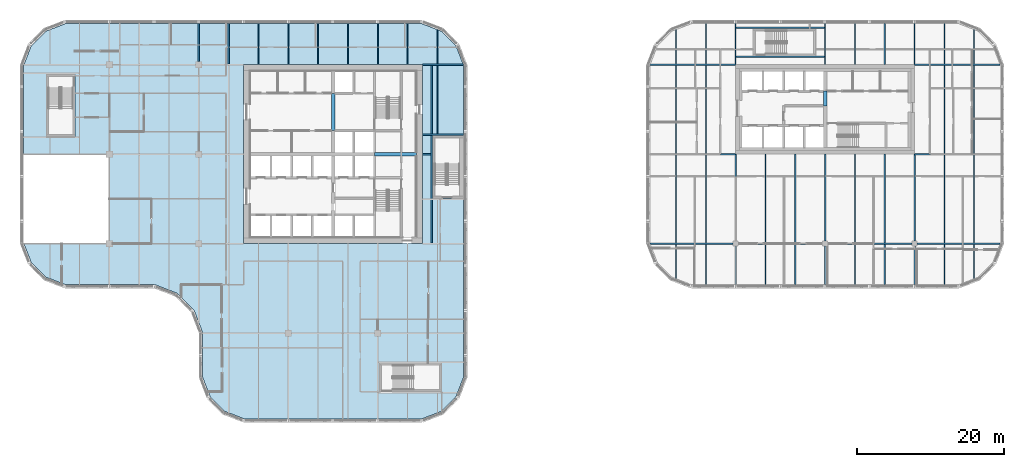
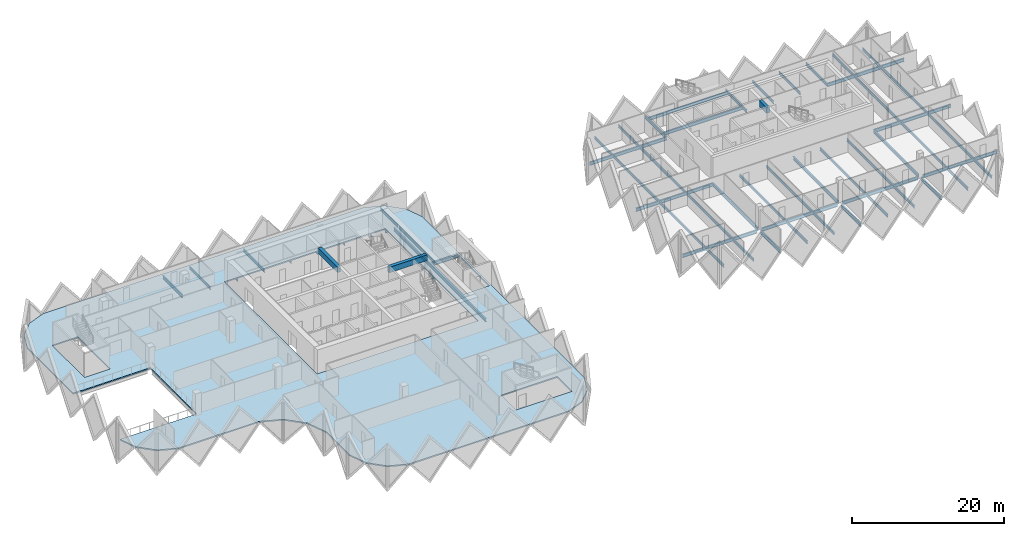
# One storey, part 2 of 19: 62 beams, 1 slab.
"""IFC4 building model written with IfcOpenShell, lengths in metres."""

from ifc_helpers import new_model, si_unit, direction, frame, origin, origin_2d, place, context, subcontext, project, spatial, polyline, rectangle, i_section, outline, extrude, material, layer, layer_set, material_profile, profile_set, type_object, element, save


model = new_model("IFC4")

# Units and contexts
model_context = context("Model", 3, precision=1e-05, world=origin(), true_north=direction((0.0, 1.0)))
body_context = subcontext(model_context, "Body", "Model", "MODEL_VIEW")
ifc_project = project(units=[si_unit("LENGTHUNIT", "METRE"), si_unit("AREAUNIT", "SQUARE_METRE"), si_unit("VOLUMEUNIT", "CUBIC_METRE"), si_unit("PLANEANGLEUNIT", "RADIAN"), si_unit("MASSUNIT", "GRAM", prefix="KILO")], contexts=[model_context])

# Site, building, storey
site_placement = place(None, origin())
site = spatial("IfcSite", under=ifc_project, at=site_placement, CompositionType="ELEMENT")
building_placement = place(site_placement, origin())
building = spatial("IfcBuilding", under=site, at=building_placement, Name="Tessera Gate Towers", CompositionType="ELEMENT")
storey_placement = place(building_placement, frame((0.0, 0.0, 87.60009765625)))
storey = spatial("IfcBuildingStorey", under=building, at=storey_placement, Name="L21", CompositionType="ELEMENT", Elevation=87.60009765625)

# Beams
ifc_material_1 = material(Name="Concrete C50/60", Category="concrete")
ifc_material_profile_1 = material_profile(ifc_material_1, rectangle(XDim=0.5, YDim=0.89990234375, at=origin_2d()), Name="RC 500x900")
ifc_profile_set_1 = profile_set([ifc_material_profile_1], Name="Concrete C50/60")
beam_type_1 = type_object("IfcBeamType", Name="COUPLING BEAM 500x900 C50/60", PredefinedType="BEAM", material=ifc_profile_set_1)
beam_1_placement = place(storey_placement, frame((109.800048828125, 43.199951171875, 3.14990234375), z_axis=(0.0, 1.0, 0.0), x_axis=(-1.0, 0.0, 0.0)))
element("IfcBeam", 1, at=beam_1_placement, inside=storey, type_object=beam_type_1, Name="L21 coupling beam 1", PredefinedType="BEAM", context=body_context, shape_type="SweptSolid", body=[
    extrude(rectangle(XDim=0.5, YDim=0.89990234375, at=origin_2d()), origin(), (0.0, 0.0, 1.0), 2.0),
])
ifc_material_2 = material(Name="Concrete C60/75", Category="concrete")
ifc_material_profile_2 = material_profile(ifc_material_2, rectangle(XDim=0.5, YDim=0.89990234375, at=origin_2d()), Name="RC 500x900")
ifc_profile_set_2 = profile_set([ifc_material_profile_2], Name="Concrete C60/75")
beam_type_2 = type_object("IfcBeamType", Name="COUPLING BEAM 500x900 C60/75", PredefinedType="BEAM", material=ifc_profile_set_2)
beam_2_placement = place(storey_placement, frame((48.35009765625, 36.60009765625, 3.14990234375), z_axis=(1.0, 0.0, 0.0), x_axis=(0.0, 1.0, 0.0)))
element("IfcBeam", 2, at=beam_2_placement, inside=storey, type_object=beam_type_2, Name="L21 coupling beam 1", PredefinedType="BEAM", context=body_context, shape_type="SweptSolid", body=[
    extrude(rectangle(XDim=0.5, YDim=0.89990234375, at=origin_2d()), origin(), (0.0, 0.0, 1.0), 5.75),
])
beam_3_placement = place(storey_placement, frame((42.699951171875, 39.800048828125, 3.14990234375), z_axis=(0.0, 1.0, 0.0), x_axis=(-1.0, 0.0, 0.0)))
element("IfcBeam", 3, at=beam_3_placement, inside=storey, type_object=beam_type_2, Name="L21 coupling beam 2", PredefinedType="BEAM", context=body_context, shape_type="SweptSolid", body=[
    extrude(rectangle(XDim=0.5, YDim=0.89990234375, at=origin_2d()), origin(), (0.0, 0.0, 1.0), 5.099853515625),
])
ifc_material_3 = material(Name="Steel 350W", Category="steel")
ifc_material_profile_3 = material_profile(ifc_material_3, i_section(OverallWidth=0.208984375, OverallDepth=0.532958984375, WebThickness=0.01025390625, FlangeThickness=0.015625, at=origin_2d()), Name="W530x92")
ifc_profile_set_3 = profile_set([ifc_material_profile_3], Name="Steel 350W")
beam_type_3 = type_object("IfcBeamType", Name="FLOOR GIRDER W530x92", PredefinedType="BEAM", material=ifc_profile_set_3)
beam_4_placement = place(storey_placement, frame((54.89892578125, 36.60009765625, -0.466552734375), z_axis=(1.0, 0.0, 0.0), x_axis=(0.0, 1.0, 0.0)))
element("IfcBeam", 4, at=beam_4_placement, inside=storey, type_object=beam_type_3, Name="T1-GD-L21-2830", PredefinedType="BEAM", context=body_context, shape_type="SweptSolid", body=[
    extrude(i_section(OverallWidth=0.208984375, OverallDepth=0.532958984375, WebThickness=0.01025390625, FlangeThickness=0.015625, at=origin_2d()), origin(), (0.0, 0.0, 1.0), 1.176513671875),
])
beam_5_placement = place(storey_placement, frame((54.90087890625, 48.800048828125, -0.466552734375), z_axis=(1.0, 0.0, 0.0), x_axis=(0.0, 1.0, 0.0)))
element("IfcBeam", 5, at=beam_5_placement, inside=storey, type_object=beam_type_3, Name="T1-GD-L21-2834", PredefinedType="BEAM", context=body_context, shape_type="SweptSolid", body=[
    extrude(i_section(OverallWidth=0.208984375, OverallDepth=0.532958984375, WebThickness=0.01025390625, FlangeThickness=0.015625, at=origin_2d()), origin(), (0.0, 0.0, 1.0), 5.564208984375),
])
beam_6_placement = place(storey_placement, frame((24.39990234375, 49.25, -0.466552734375), z_axis=(0.0, 1.0, 0.0), x_axis=(-1.0, 0.0, 0.0)))
element("IfcBeam", 6, at=beam_6_placement, inside=storey, type_object=beam_type_3, Name="T1-GD-L21-2842", PredefinedType="BEAM", context=body_context, shape_type="SweptSolid", body=[
    extrude(i_section(OverallWidth=0.208984375, OverallDepth=0.532958984375, WebThickness=0.01025390625, FlangeThickness=0.015625, at=origin_2d()), origin(), (0.0, 0.0, 1.0), 5.15087890625),
])
beam_7_placement = place(storey_placement, frame((54.89892578125, 39.219970703125, -0.466552734375), z_axis=(1.0, 0.0, 0.0), x_axis=(0.0, 1.0, 0.0)))
element("IfcBeam", 7, at=beam_7_placement, inside=storey, type_object=beam_type_3, Name="T1-GD-L21-2852", PredefinedType="BEAM", context=body_context, shape_type="SweptSolid", body=[
    extrude(i_section(OverallWidth=0.208984375, OverallDepth=0.532958984375, WebThickness=0.01025390625, FlangeThickness=0.015625, at=origin_2d()), origin(), (0.0, 0.0, 1.0), 5.60205078125),
])
beam_8_placement = place(storey_placement, frame((56.179931640625, 24.50439453125, -0.466552734375), z_axis=(0.0, 1.0, 0.0), x_axis=(-1.0, 0.0, 0.0)))
element("IfcBeam", 8, at=beam_8_placement, inside=storey, type_object=beam_type_3, Name="T1-GD-L21-2853", PredefinedType="BEAM", context=body_context, shape_type="SweptSolid", body=[
    extrude(i_section(OverallWidth=0.208984375, OverallDepth=0.532958984375, WebThickness=0.01025390625, FlangeThickness=0.015625, at=origin_2d()), origin(), (0.0, 0.0, 1.0), 24.191162109375),
])
beam_9_placement = place(storey_placement, frame((85.934814453125, 24.39990234375, -0.466552734375), z_axis=(1.0, 0.0, 0.0), x_axis=(0.0, 1.0, 0.0)))
element("IfcBeam", 9, at=beam_9_placement, inside=storey, type_object=beam_type_3, Name="T2-GD-L21-2894", PredefinedType="BEAM", context=body_context, shape_type="SweptSolid", body=[
    extrude(i_section(OverallWidth=0.208984375, OverallDepth=0.532958984375, WebThickness=0.01025390625, FlangeThickness=0.015625, at=origin_2d()), origin(), (0.0, 0.0, 1.0), 11.315185546875),
])
for number, where, z_axis, x_axis, name in (
    (10, (97.949951171875, 24.39990234375, -0.466552734375), (1.0, 0.0, 0.0), (0.0, 1.0, 0.0), "T2-GD-L21-2895"),
    (11, (110.14990234375, 24.39990234375, -0.466552734375), (1.0, 0.0, 0.0), (0.0, 1.0, 0.0), "T2-GD-L21-2896"),
):
    element("IfcBeam", number, at=place(storey_placement, frame(where, z_axis=z_axis, x_axis=x_axis)), inside=storey, type_object=beam_type_3, Name=name, PredefinedType="BEAM", context=body_context, shape_type="SweptSolid", body=[
        extrude(i_section(OverallWidth=0.208984375, OverallDepth=0.532958984375, WebThickness=0.01025390625, FlangeThickness=0.015625, at=origin_2d()), origin(), (0.0, 0.0, 1.0), 11.5),
    ])
beam_10_placement = place(storey_placement, frame((122.35009765625, 24.39990234375, -0.466552734375), z_axis=(1.0, 0.0, 0.0), x_axis=(0.0, 1.0, 0.0)))
element("IfcBeam", 12, at=beam_10_placement, inside=storey, type_object=beam_type_3, Name="T2-GD-L21-2897", PredefinedType="BEAM", context=body_context, shape_type="SweptSolid", body=[
    extrude(i_section(OverallWidth=0.208984375, OverallDepth=0.532958984375, WebThickness=0.01025390625, FlangeThickness=0.015625, at=origin_2d()), origin(), (0.0, 0.0, 1.0), 11.315185546875),
])
beam_11_placement = place(storey_placement, frame((85.89892578125, 36.60009765625, -0.466552734375), z_axis=(1.0, 0.0, 0.0), x_axis=(0.0, 1.0, 0.0)))
element("IfcBeam", 13, at=beam_11_placement, inside=storey, type_object=beam_type_3, Name="T2-GD-L21-2898", PredefinedType="BEAM", context=body_context, shape_type="SweptSolid", body=[
    extrude(i_section(OverallWidth=0.208984375, OverallDepth=0.532958984375, WebThickness=0.01025390625, FlangeThickness=0.015625, at=origin_2d()), origin(), (0.0, 0.0, 1.0), 11.7001953125),
])
beam_12_placement = place(storey_placement, frame((122.0009765625, 36.60009765625, -0.466552734375), z_axis=(1.0, 0.0, 0.0), x_axis=(0.0, 1.0, 0.0)))
element("IfcBeam", 14, at=beam_12_placement, inside=storey, type_object=beam_type_3, Name="T2-GD-L21-2899", PredefinedType="BEAM", context=body_context, shape_type="SweptSolid", body=[
    extrude(i_section(OverallWidth=0.208984375, OverallDepth=0.532958984375, WebThickness=0.01025390625, FlangeThickness=0.015625, at=origin_2d()), origin(), (0.0, 0.0, 1.0), 11.699951171875),
])
for number, where, z_axis, x_axis, name in (
    (15, (85.934814453125, 48.800048828125, -0.466552734375), (1.0, 0.0, 0.0), (0.0, 1.0, 0.0), "T2-GD-L21-2900"),
    (16, (122.0009765625, 48.800048828125, -0.466552734375), (1.0, 0.0, 0.0), (0.0, 1.0, 0.0), "T2-GD-L21-2901"),
):
    element("IfcBeam", number, at=place(storey_placement, frame(where, z_axis=z_axis, x_axis=x_axis)), inside=storey, type_object=beam_type_3, Name=name, PredefinedType="BEAM", context=body_context, shape_type="SweptSolid", body=[
        extrude(i_section(OverallWidth=0.208984375, OverallDepth=0.532958984375, WebThickness=0.01025390625, FlangeThickness=0.015625, at=origin_2d()), origin(), (0.0, 0.0, 1.0), 11.664306640625),
    ])
beam_13_placement = place(storey_placement, frame((97.60009765625, 18.799072265625, -0.466552734375), z_axis=(0.0, 1.0, 0.0), x_axis=(-1.0, 0.0, 0.0)))
element("IfcBeam", 17, at=beam_13_placement, inside=storey, type_object=beam_type_3, Name="T2-GD-L21-2902", PredefinedType="BEAM", context=body_context, shape_type="SweptSolid", body=[
    extrude(i_section(OverallWidth=0.208984375, OverallDepth=0.532958984375, WebThickness=0.01025390625, FlangeThickness=0.015625, at=origin_2d()), origin(), (0.0, 0.0, 1.0), 5.2509765625),
])
beam_14_placement = place(storey_placement, frame((97.60009765625, 24.75, -0.466552734375), z_axis=(0.0, 1.0, 0.0), x_axis=(-1.0, 0.0, 0.0)))
element("IfcBeam", 18, at=beam_14_placement, inside=storey, type_object=beam_type_3, Name="T2-GD-L21-2903", PredefinedType="BEAM", context=body_context, shape_type="SweptSolid", body=[
    extrude(i_section(OverallWidth=0.208984375, OverallDepth=0.532958984375, WebThickness=0.01025390625, FlangeThickness=0.015625, at=origin_2d()), origin(), (0.0, 0.0, 1.0), 11.85009765625),
])
beam_15_placement = place(storey_placement, frame((109.800048828125, 18.799072265625, -0.466552734375), z_axis=(0.0, 1.0, 0.0), x_axis=(-1.0, 0.0, 0.0)))
element("IfcBeam", 19, at=beam_15_placement, inside=storey, type_object=beam_type_3, Name="T2-GD-L21-2904", PredefinedType="BEAM", context=body_context, shape_type="SweptSolid", body=[
    extrude(i_section(OverallWidth=0.208984375, OverallDepth=0.532958984375, WebThickness=0.01025390625, FlangeThickness=0.015625, at=origin_2d()), origin(), (0.0, 0.0, 1.0), 5.2509765625),
])
beam_16_placement = place(storey_placement, frame((109.800048828125, 24.75, -0.466552734375), z_axis=(0.0, 1.0, 0.0), x_axis=(-1.0, 0.0, 0.0)))
element("IfcBeam", 20, at=beam_16_placement, inside=storey, type_object=beam_type_3, Name="T2-GD-L21-2905", PredefinedType="BEAM", context=body_context, shape_type="SweptSolid", body=[
    extrude(i_section(OverallWidth=0.208984375, OverallDepth=0.532958984375, WebThickness=0.01025390625, FlangeThickness=0.015625, at=origin_2d()), origin(), (0.0, 0.0, 1.0), 11.85009765625),
])
beam_17_placement = place(storey_placement, frame((122.0, 18.799072265625, -0.466552734375), z_axis=(0.0, 1.0, 0.0), x_axis=(-1.0, 0.0, 0.0)))
element("IfcBeam", 21, at=beam_17_placement, inside=storey, type_object=beam_type_3, Name="T2-GD-L21-2906", PredefinedType="BEAM", context=body_context, shape_type="SweptSolid", body=[
    extrude(i_section(OverallWidth=0.208984375, OverallDepth=0.532958984375, WebThickness=0.01025390625, FlangeThickness=0.015625, at=origin_2d()), origin(), (0.0, 0.0, 1.0), 5.2509765625),
])
beam_18_placement = place(storey_placement, frame((122.0, 24.75, -0.466552734375), z_axis=(0.0, 1.0, 0.0), x_axis=(-1.0, 0.0, 0.0)))
element("IfcBeam", 22, at=beam_18_placement, inside=storey, type_object=beam_type_3, Name="T2-GD-L21-2907", PredefinedType="BEAM", context=body_context, shape_type="SweptSolid", body=[
    extrude(i_section(OverallWidth=0.208984375, OverallDepth=0.532958984375, WebThickness=0.01025390625, FlangeThickness=0.015625, at=origin_2d()), origin(), (0.0, 0.0, 1.0), 11.85009765625),
])
for number, where, z_axis, x_axis, name in (
    (23, (97.676513671875, 49.8798828125, -0.466552734375), (1.0, 0.0, 0.0), (0.0, 1.0, 0.0), "T2-GD-L21-2908"),
    (24, (97.676513671875, 53.820068359375, -0.466552734375), (1.0, 0.0, 0.0), (0.0, 1.0, 0.0), "T2-GD-L21-2909"),
):
    element("IfcBeam", number, at=place(storey_placement, frame(where, z_axis=z_axis, x_axis=x_axis)), inside=storey, type_object=beam_type_3, Name=name, PredefinedType="BEAM", context=body_context, shape_type="SweptSolid", body=[
        extrude(i_section(OverallWidth=0.208984375, OverallDepth=0.532958984375, WebThickness=0.01025390625, FlangeThickness=0.015625, at=origin_2d()), origin(), (0.0, 0.0, 1.0), 12.046875),
    ])
ifc_material_4 = material(Name="Steel 350W", Category="steel")
ifc_material_profile_4 = material_profile(ifc_material_4, i_section(OverallWidth=0.153076171875, OverallDepth=0.455078125, WebThickness=0.008056640625, FlangeThickness=0.01318359375, at=origin_2d()), Name="W460x60")
ifc_profile_set_4 = profile_set([ifc_material_profile_4], Name="Steel 350W")
beam_type_4 = type_object("IfcBeamType", Name="FLOOR SECONDARY W460x60", PredefinedType="BEAM", material=ifc_profile_set_4)
beam_19_placement = place(storey_placement, frame((28.466796875, 48.904541015625, -0.427490234375), z_axis=(0.0, 1.0, 0.0), x_axis=(-1.0, 0.0, 0.0)))
element("IfcBeam", 25, at=beam_19_placement, inside=storey, type_object=beam_type_4, Name="T1-BM-L21-2872", PredefinedType="BEAM", context=body_context, shape_type="SweptSolid", body=[
    extrude(i_section(OverallWidth=0.153076171875, OverallDepth=0.455078125, WebThickness=0.008056640625, FlangeThickness=0.01318359375, at=origin_2d()), origin(), (0.0, 0.0, 1.0), 5.495361328125),
])
for number, where, z_axis, x_axis, name in (
    (26, (32.533203125, 48.800048828125, -0.427490234375), (0.0, 1.0, 0.0), (-1.0, 0.0, 0.0), "T1-BM-L21-2875"),
    (27, (36.60009765625, 48.800048828125, -0.427490234375), (0.0, 1.0, 0.0), (-1.0, 0.0, 0.0), "T1-BM-L21-2876"),
    (28, (40.666748046875, 48.800048828125, -0.427490234375), (0.0, 1.0, 0.0), (-1.0, 0.0, 0.0), "T1-BM-L21-2879"),
    (29, (44.7333984375, 48.800048828125, -0.427490234375), (0.0, 1.0, 0.0), (-1.0, 0.0, 0.0), "T1-BM-L21-2882"),
    (30, (48.800048828125, 48.800048828125, -0.427490234375), (0.0, 1.0, 0.0), (-1.0, 0.0, 0.0), "T1-BM-L21-2883"),
    (31, (52.86669921875, 48.800048828125, -0.427490234375), (0.0, 1.0, 0.0), (-1.0, 0.0, 0.0), "T1-BM-L21-2887"),
):
    element("IfcBeam", number, at=place(storey_placement, frame(where, z_axis=z_axis, x_axis=x_axis)), inside=storey, type_object=beam_type_4, Name=name, PredefinedType="BEAM", context=body_context, shape_type="SweptSolid", body=[
        extrude(i_section(OverallWidth=0.153076171875, OverallDepth=0.455078125, WebThickness=0.008056640625, FlangeThickness=0.01318359375, at=origin_2d()), origin(), (0.0, 0.0, 1.0), 5.599853515625),
    ])
beam_20_placement = place(storey_placement, frame((56.933349609375, 39.324462890625, -0.427490234375), z_axis=(0.0, 1.0, 0.0), x_axis=(-1.0, 0.0, 0.0)))
element("IfcBeam", 32, at=beam_20_placement, inside=storey, type_object=beam_type_4, Name="T1-BM-L21-2892", PredefinedType="BEAM", context=body_context, shape_type="SweptSolid", body=[
    extrude(i_section(OverallWidth=0.153076171875, OverallDepth=0.455078125, WebThickness=0.008056640625, FlangeThickness=0.01318359375, at=origin_2d()), origin(), (0.0, 0.0, 1.0), 9.37109375),
])
for number, where, z_axis, x_axis, name in (
    (33, (56.933349609375, 48.904541015625, -0.427490234375), (0.0, 1.0, 0.0), (-1.0, 0.0, 0.0), "T1-BM-L21-2893"),
    (34, (89.466796875, 19.620361328125, -0.427490234375), (0.0, 1.0, 0.0), (-1.0, 0.0, 0.0), "T2-BM-L21-2910"),
):
    element("IfcBeam", number, at=place(storey_placement, frame(where, z_axis=z_axis, x_axis=x_axis)), inside=storey, type_object=beam_type_4, Name=name, PredefinedType="BEAM", context=body_context, shape_type="SweptSolid", body=[
        extrude(i_section(OverallWidth=0.153076171875, OverallDepth=0.455078125, WebThickness=0.008056640625, FlangeThickness=0.01318359375, at=origin_2d()), origin(), (0.0, 0.0, 1.0), 4.675048828125),
    ])
beam_21_placement = place(storey_placement, frame((89.466796875, 24.50439453125, -0.427490234375), z_axis=(0.0, 1.0, 0.0), x_axis=(-1.0, 0.0, 0.0)))
element("IfcBeam", 35, at=beam_21_placement, inside=storey, type_object=beam_type_4, Name="T2-BM-L21-2911", PredefinedType="BEAM", context=body_context, shape_type="SweptSolid", body=[
    extrude(i_section(OverallWidth=0.153076171875, OverallDepth=0.455078125, WebThickness=0.008056640625, FlangeThickness=0.01318359375, at=origin_2d()), origin(), (0.0, 0.0, 1.0), 11.9912109375),
])
beam_22_placement = place(storey_placement, frame((89.466796875, 36.70458984375, -0.427490234375), z_axis=(0.0, 1.0, 0.0), x_axis=(-1.0, 0.0, 0.0)))
element("IfcBeam", 36, at=beam_22_placement, inside=storey, type_object=beam_type_4, Name="T2-BM-L21-2912", PredefinedType="BEAM", context=body_context, shape_type="SweptSolid", body=[
    extrude(i_section(OverallWidth=0.153076171875, OverallDepth=0.455078125, WebThickness=0.008056640625, FlangeThickness=0.01318359375, at=origin_2d()), origin(), (0.0, 0.0, 1.0), 11.990966796875),
])
beam_23_placement = place(storey_placement, frame((89.466796875, 48.904541015625, -0.427490234375), z_axis=(0.0, 1.0, 0.0), x_axis=(-1.0, 0.0, 0.0)))
element("IfcBeam", 37, at=beam_23_placement, inside=storey, type_object=beam_type_4, Name="T2-BM-L21-2913", PredefinedType="BEAM", context=body_context, shape_type="SweptSolid", body=[
    extrude(i_section(OverallWidth=0.153076171875, OverallDepth=0.455078125, WebThickness=0.008056640625, FlangeThickness=0.01318359375, at=origin_2d()), origin(), (0.0, 0.0, 1.0), 4.675048828125),
])
beam_24_placement = place(storey_placement, frame((93.533203125, 18.800048828125, -0.427490234375), z_axis=(0.0, 1.0, 0.0), x_axis=(-1.0, 0.0, 0.0)))
element("IfcBeam", 38, at=beam_24_placement, inside=storey, type_object=beam_type_4, Name="T2-BM-L21-2914", PredefinedType="BEAM", context=body_context, shape_type="SweptSolid", body=[
    extrude(i_section(OverallWidth=0.153076171875, OverallDepth=0.455078125, WebThickness=0.008056640625, FlangeThickness=0.01318359375, at=origin_2d()), origin(), (0.0, 0.0, 1.0), 5.495361328125),
])
beam_25_placement = place(storey_placement, frame((93.533203125, 24.50439453125, -0.427490234375), z_axis=(0.0, 1.0, 0.0), x_axis=(-1.0, 0.0, 0.0)))
element("IfcBeam", 39, at=beam_25_placement, inside=storey, type_object=beam_type_4, Name="T2-BM-L21-2915", PredefinedType="BEAM", context=body_context, shape_type="SweptSolid", body=[
    extrude(i_section(OverallWidth=0.153076171875, OverallDepth=0.455078125, WebThickness=0.008056640625, FlangeThickness=0.01318359375, at=origin_2d()), origin(), (0.0, 0.0, 1.0), 11.9912109375),
])
beam_26_placement = place(storey_placement, frame((93.533203125, 36.70458984375, -0.427490234375), z_axis=(0.0, 1.0, 0.0), x_axis=(-1.0, 0.0, 0.0)))
element("IfcBeam", 40, at=beam_26_placement, inside=storey, type_object=beam_type_4, Name="T2-BM-L21-2916", PredefinedType="BEAM", context=body_context, shape_type="SweptSolid", body=[
    extrude(i_section(OverallWidth=0.153076171875, OverallDepth=0.455078125, WebThickness=0.008056640625, FlangeThickness=0.01318359375, at=origin_2d()), origin(), (0.0, 0.0, 1.0), 11.990966796875),
])
beam_27_placement = place(storey_placement, frame((93.533203125, 48.904541015625, -0.427490234375), z_axis=(0.0, 1.0, 0.0), x_axis=(-1.0, 0.0, 0.0)))
element("IfcBeam", 41, at=beam_27_placement, inside=storey, type_object=beam_type_4, Name="T2-BM-L21-2917", PredefinedType="BEAM", context=body_context, shape_type="SweptSolid", body=[
    extrude(i_section(OverallWidth=0.153076171875, OverallDepth=0.455078125, WebThickness=0.008056640625, FlangeThickness=0.01318359375, at=origin_2d()), origin(), (0.0, 0.0, 1.0), 5.495361328125),
])
beam_28_placement = place(storey_placement, frame((97.60009765625, 48.800048828125, -0.427490234375), z_axis=(0.0, 1.0, 0.0), x_axis=(-1.0, 0.0, 0.0)))
element("IfcBeam", 42, at=beam_28_placement, inside=storey, type_object=beam_type_4, Name="T2-BM-L21-2918", PredefinedType="BEAM", context=body_context, shape_type="SweptSolid", body=[
    extrude(i_section(OverallWidth=0.153076171875, OverallDepth=0.455078125, WebThickness=0.008056640625, FlangeThickness=0.01318359375, at=origin_2d()), origin(), (0.0, 0.0, 1.0), 5.599853515625),
])
beam_29_placement = place(storey_placement, frame((101.666748046875, 18.800048828125, -0.427490234375), z_axis=(0.0, 1.0, 0.0), x_axis=(-1.0, 0.0, 0.0)))
element("IfcBeam", 43, at=beam_29_placement, inside=storey, type_object=beam_type_4, Name="T2-BM-L21-2919", PredefinedType="BEAM", context=body_context, shape_type="SweptSolid", body=[
    extrude(i_section(OverallWidth=0.153076171875, OverallDepth=0.455078125, WebThickness=0.008056640625, FlangeThickness=0.01318359375, at=origin_2d()), origin(), (0.0, 0.0, 1.0), 5.495361328125),
])
beam_30_placement = place(storey_placement, frame((101.666748046875, 24.50439453125, -0.427490234375), z_axis=(0.0, 1.0, 0.0), x_axis=(-1.0, 0.0, 0.0)))
element("IfcBeam", 44, at=beam_30_placement, inside=storey, type_object=beam_type_4, Name="T2-BM-L21-2920", PredefinedType="BEAM", context=body_context, shape_type="SweptSolid", body=[
    extrude(i_section(OverallWidth=0.153076171875, OverallDepth=0.455078125, WebThickness=0.008056640625, FlangeThickness=0.01318359375, at=origin_2d()), origin(), (0.0, 0.0, 1.0), 12.095703125),
])
beam_31_placement = place(storey_placement, frame((105.7333984375, 18.800048828125, -0.427490234375), z_axis=(0.0, 1.0, 0.0), x_axis=(-1.0, 0.0, 0.0)))
element("IfcBeam", 45, at=beam_31_placement, inside=storey, type_object=beam_type_4, Name="T2-BM-L21-2921", PredefinedType="BEAM", context=body_context, shape_type="SweptSolid", body=[
    extrude(i_section(OverallWidth=0.153076171875, OverallDepth=0.455078125, WebThickness=0.008056640625, FlangeThickness=0.01318359375, at=origin_2d()), origin(), (0.0, 0.0, 1.0), 5.495361328125),
])
beam_32_placement = place(storey_placement, frame((105.7333984375, 24.50439453125, -0.427490234375), z_axis=(0.0, 1.0, 0.0), x_axis=(-1.0, 0.0, 0.0)))
element("IfcBeam", 46, at=beam_32_placement, inside=storey, type_object=beam_type_4, Name="T2-BM-L21-2922", PredefinedType="BEAM", context=body_context, shape_type="SweptSolid", body=[
    extrude(i_section(OverallWidth=0.153076171875, OverallDepth=0.455078125, WebThickness=0.008056640625, FlangeThickness=0.01318359375, at=origin_2d()), origin(), (0.0, 0.0, 1.0), 12.095703125),
])
beam_33_placement = place(storey_placement, frame((109.800048828125, 48.800048828125, -0.427490234375), z_axis=(0.0, 1.0, 0.0), x_axis=(-1.0, 0.0, 0.0)))
element("IfcBeam", 47, at=beam_33_placement, inside=storey, type_object=beam_type_4, Name="T2-BM-L21-2923", PredefinedType="BEAM", context=body_context, shape_type="SweptSolid", body=[
    extrude(i_section(OverallWidth=0.153076171875, OverallDepth=0.455078125, WebThickness=0.008056640625, FlangeThickness=0.01318359375, at=origin_2d()), origin(), (0.0, 0.0, 1.0), 5.599853515625),
])
beam_34_placement = place(storey_placement, frame((113.86669921875, 18.800048828125, -0.427490234375), z_axis=(0.0, 1.0, 0.0), x_axis=(-1.0, 0.0, 0.0)))
element("IfcBeam", 48, at=beam_34_placement, inside=storey, type_object=beam_type_4, Name="T2-BM-L21-2924", PredefinedType="BEAM", context=body_context, shape_type="SweptSolid", body=[
    extrude(i_section(OverallWidth=0.153076171875, OverallDepth=0.455078125, WebThickness=0.008056640625, FlangeThickness=0.01318359375, at=origin_2d()), origin(), (0.0, 0.0, 1.0), 5.495361328125),
])
beam_35_placement = place(storey_placement, frame((113.86669921875, 24.50439453125, -0.427490234375), z_axis=(0.0, 1.0, 0.0), x_axis=(-1.0, 0.0, 0.0)))
element("IfcBeam", 49, at=beam_35_placement, inside=storey, type_object=beam_type_4, Name="T2-BM-L21-2925", PredefinedType="BEAM", context=body_context, shape_type="SweptSolid", body=[
    extrude(i_section(OverallWidth=0.153076171875, OverallDepth=0.455078125, WebThickness=0.008056640625, FlangeThickness=0.01318359375, at=origin_2d()), origin(), (0.0, 0.0, 1.0), 12.095703125),
])
beam_36_placement = place(storey_placement, frame((113.86669921875, 48.800048828125, -0.427490234375), z_axis=(0.0, 1.0, 0.0), x_axis=(-1.0, 0.0, 0.0)))
element("IfcBeam", 50, at=beam_36_placement, inside=storey, type_object=beam_type_4, Name="T2-BM-L21-2926", PredefinedType="BEAM", context=body_context, shape_type="SweptSolid", body=[
    extrude(i_section(OverallWidth=0.153076171875, OverallDepth=0.455078125, WebThickness=0.008056640625, FlangeThickness=0.01318359375, at=origin_2d()), origin(), (0.0, 0.0, 1.0), 5.599853515625),
])
beam_37_placement = place(storey_placement, frame((117.933349609375, 18.800048828125, -0.427490234375), z_axis=(0.0, 1.0, 0.0), x_axis=(-1.0, 0.0, 0.0)))
element("IfcBeam", 51, at=beam_37_placement, inside=storey, type_object=beam_type_4, Name="T2-BM-L21-2927", PredefinedType="BEAM", context=body_context, shape_type="SweptSolid", body=[
    extrude(i_section(OverallWidth=0.153076171875, OverallDepth=0.455078125, WebThickness=0.008056640625, FlangeThickness=0.01318359375, at=origin_2d()), origin(), (0.0, 0.0, 1.0), 5.495361328125),
])
beam_38_placement = place(storey_placement, frame((117.933349609375, 24.50439453125, -0.427490234375), z_axis=(0.0, 1.0, 0.0), x_axis=(-1.0, 0.0, 0.0)))
element("IfcBeam", 52, at=beam_38_placement, inside=storey, type_object=beam_type_4, Name="T2-BM-L21-2928", PredefinedType="BEAM", context=body_context, shape_type="SweptSolid", body=[
    extrude(i_section(OverallWidth=0.153076171875, OverallDepth=0.455078125, WebThickness=0.008056640625, FlangeThickness=0.01318359375, at=origin_2d()), origin(), (0.0, 0.0, 1.0), 12.095703125),
])
for number, where, z_axis, x_axis, name in (
    (53, (117.933349609375, 48.800048828125, -0.427490234375), (0.0, 1.0, 0.0), (-1.0, 0.0, 0.0), "T2-BM-L21-2929"),
    (54, (122.0, 48.800048828125, -0.427490234375), (0.0, 1.0, 0.0), (-1.0, 0.0, 0.0), "T2-BM-L21-2930"),
):
    element("IfcBeam", number, at=place(storey_placement, frame(where, z_axis=z_axis, x_axis=x_axis)), inside=storey, type_object=beam_type_4, Name=name, PredefinedType="BEAM", context=body_context, shape_type="SweptSolid", body=[
        extrude(i_section(OverallWidth=0.153076171875, OverallDepth=0.455078125, WebThickness=0.008056640625, FlangeThickness=0.01318359375, at=origin_2d()), origin(), (0.0, 0.0, 1.0), 5.599853515625),
    ])
beam_39_placement = place(storey_placement, frame((126.066650390625, 18.800048828125, -0.427490234375), z_axis=(0.0, 1.0, 0.0), x_axis=(-1.0, 0.0, 0.0)))
element("IfcBeam", 55, at=beam_39_placement, inside=storey, type_object=beam_type_4, Name="T2-BM-L21-2931", PredefinedType="BEAM", context=body_context, shape_type="SweptSolid", body=[
    extrude(i_section(OverallWidth=0.153076171875, OverallDepth=0.455078125, WebThickness=0.008056640625, FlangeThickness=0.01318359375, at=origin_2d()), origin(), (0.0, 0.0, 1.0), 5.495361328125),
])
beam_40_placement = place(storey_placement, frame((126.066650390625, 24.50439453125, -0.427490234375), z_axis=(0.0, 1.0, 0.0), x_axis=(-1.0, 0.0, 0.0)))
element("IfcBeam", 56, at=beam_40_placement, inside=storey, type_object=beam_type_4, Name="T2-BM-L21-2932", PredefinedType="BEAM", context=body_context, shape_type="SweptSolid", body=[
    extrude(i_section(OverallWidth=0.153076171875, OverallDepth=0.455078125, WebThickness=0.008056640625, FlangeThickness=0.01318359375, at=origin_2d()), origin(), (0.0, 0.0, 1.0), 11.9912109375),
])
beam_41_placement = place(storey_placement, frame((126.066650390625, 36.70458984375, -0.427490234375), z_axis=(0.0, 1.0, 0.0), x_axis=(-1.0, 0.0, 0.0)))
element("IfcBeam", 57, at=beam_41_placement, inside=storey, type_object=beam_type_4, Name="T2-BM-L21-2933", PredefinedType="BEAM", context=body_context, shape_type="SweptSolid", body=[
    extrude(i_section(OverallWidth=0.153076171875, OverallDepth=0.455078125, WebThickness=0.008056640625, FlangeThickness=0.01318359375, at=origin_2d()), origin(), (0.0, 0.0, 1.0), 11.990966796875),
])
beam_42_placement = place(storey_placement, frame((126.066650390625, 48.904541015625, -0.427490234375), z_axis=(0.0, 1.0, 0.0), x_axis=(-1.0, 0.0, 0.0)))
element("IfcBeam", 58, at=beam_42_placement, inside=storey, type_object=beam_type_4, Name="T2-BM-L21-2934", PredefinedType="BEAM", context=body_context, shape_type="SweptSolid", body=[
    extrude(i_section(OverallWidth=0.153076171875, OverallDepth=0.455078125, WebThickness=0.008056640625, FlangeThickness=0.01318359375, at=origin_2d()), origin(), (0.0, 0.0, 1.0), 5.495361328125),
])
beam_43_placement = place(storey_placement, frame((130.13330078125, 19.620361328125, -0.427490234375), z_axis=(0.0, 1.0, 0.0), x_axis=(-1.0, 0.0, 0.0)))
element("IfcBeam", 59, at=beam_43_placement, inside=storey, type_object=beam_type_4, Name="T2-BM-L21-2935", PredefinedType="BEAM", context=body_context, shape_type="SweptSolid", body=[
    extrude(i_section(OverallWidth=0.153076171875, OverallDepth=0.455078125, WebThickness=0.008056640625, FlangeThickness=0.01318359375, at=origin_2d()), origin(), (0.0, 0.0, 1.0), 4.675048828125),
])
beam_44_placement = place(storey_placement, frame((130.13330078125, 24.50439453125, -0.427490234375), z_axis=(0.0, 1.0, 0.0), x_axis=(-1.0, 0.0, 0.0)))
element("IfcBeam", 60, at=beam_44_placement, inside=storey, type_object=beam_type_4, Name="T2-BM-L21-2936", PredefinedType="BEAM", context=body_context, shape_type="SweptSolid", body=[
    extrude(i_section(OverallWidth=0.153076171875, OverallDepth=0.455078125, WebThickness=0.008056640625, FlangeThickness=0.01318359375, at=origin_2d()), origin(), (0.0, 0.0, 1.0), 11.9912109375),
])
beam_45_placement = place(storey_placement, frame((130.13330078125, 36.70458984375, -0.427490234375), z_axis=(0.0, 1.0, 0.0), x_axis=(-1.0, 0.0, 0.0)))
element("IfcBeam", 61, at=beam_45_placement, inside=storey, type_object=beam_type_4, Name="T2-BM-L21-2937", PredefinedType="BEAM", context=body_context, shape_type="SweptSolid", body=[
    extrude(i_section(OverallWidth=0.153076171875, OverallDepth=0.455078125, WebThickness=0.008056640625, FlangeThickness=0.01318359375, at=origin_2d()), origin(), (0.0, 0.0, 1.0), 11.990966796875),
])
beam_46_placement = place(storey_placement, frame((130.13330078125, 48.904541015625, -0.427490234375), z_axis=(0.0, 1.0, 0.0), x_axis=(-1.0, 0.0, 0.0)))
element("IfcBeam", 62, at=beam_46_placement, inside=storey, type_object=beam_type_4, Name="T2-BM-L21-2938", PredefinedType="BEAM", context=body_context, shape_type="SweptSolid", body=[
    extrude(i_section(OverallWidth=0.153076171875, OverallDepth=0.455078125, WebThickness=0.008056640625, FlangeThickness=0.01318359375, at=origin_2d()), origin(), (0.0, 0.0, 1.0), 4.675048828125),
])

# Slab
ifc_material_5 = material(Name="Concrete C35/45", Category="concrete")
ifc_layer = layer(ifc_material_5, 0.199951171875)
ifc_layer_set = layer_set([ifc_layer], Name="COMPOSITE FLOOR 200")
slab_type = type_object("IfcSlabType", Name="COMPOSITE FLOOR 200", PredefinedType="FLOOR", material=ifc_layer_set)
slab_placement = place(storey_placement, frame((0.0, 0.0, -0.2001953125)))
element("IfcSlab", 63, at=slab_placement, inside=storey, type_object=slab_type, Name="T1-L21", PredefinedType="FLOOR", context=body_context, shape_type="SweptSolid", body=[
    extrude(outline(polyline([(0.5, 36.60009765625), (12.199951171875, 36.60009765625), (12.199951171875, 24.39990234375), (0.535888671875, 24.39990234375), (1.526123046875, 21.8330078125), (3.533203125, 19.826171875), (6.193115234375, 18.800048828125), (18.39306640625, 18.800048828125), (21.42431640625, 17.630615234375), (23.730712890625, 15.32421875), (24.89990234375, 12.293212890625), (24.89990234375, 6.193115234375), (25.926025390625, 3.533203125), (27.93310546875, 1.526123046875), (30.593017578125, 0.5), (54.806884765625, 0.5), (57.466796875, 1.526123046875), (59.473876953125, 3.533203125), (60.5, 6.193115234375), (60.5, 48.706787109375), (59.473876953125, 51.366943359375), (57.466796875, 53.373779296875), (54.806884765625, 54.39990234375), (6.193115234375, 54.39990234375), (3.533203125, 53.373779296875), (1.526123046875, 51.366943359375), (0.5, 48.706787109375), (0.5, 36.60009765625)]), holes=[polyline([(3.60009765625, 39.0), (3.60009765625, 47.5), (7.5, 47.5), (7.5, 39.0), (3.60009765625, 39.0)]), polyline([(30.5, 24.39990234375), (30.5, 48.800048828125), (54.89990234375, 48.800048828125), (54.89990234375, 24.39990234375), (30.5, 24.39990234375)]), polyline([(49.0, 4.199951171875), (49.0, 8.10009765625), (57.5, 8.10009765625), (57.5, 4.199951171875), (49.0, 4.199951171875)]), polyline([(56.300048828125, 30.60009765625), (56.300048828125, 39.10009765625), (60.199951171875, 39.10009765625), (60.199951171875, 30.60009765625), (56.300048828125, 30.60009765625)])]), origin(), (0.0, 0.0, 1.0), 0.2001953125),
])

save(model, "model.ifc")
